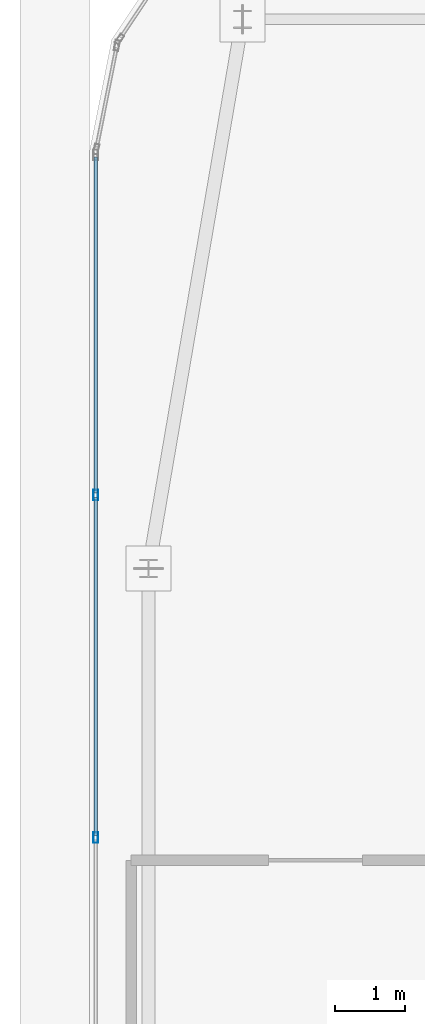
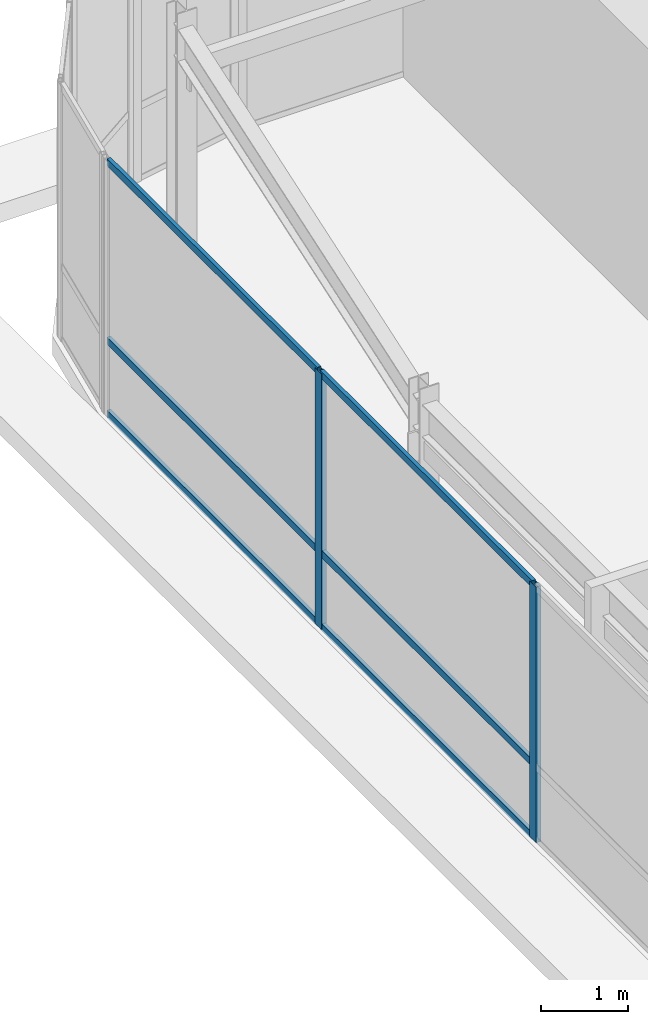
# One storey, part 17 of 35: 8 members, 1 element without a shape of its own.
"""IFC4 building model written with IfcOpenShell, lengths in metres."""

from ifc_helpers import new_model, si_unit, direction, frame, origin, origin_2d, place, context, subcontext, project, spatial, hollow_rectangle, extrude, source, transform, mapped, material, layer, layer_set, material_profile, profile_set, type_object, type_shapes, element, aggregate, save


model = new_model("IFC4")

# Units and contexts
model_context = context("Model", 3, precision=1e-05, world=origin(), true_north=direction((0.0, 1.0)))
body_context = subcontext(model_context, "Body", "Model", "MODEL_VIEW")
ifc_project = project(units=[si_unit("LENGTHUNIT", "METRE"), si_unit("AREAUNIT", "SQUARE_METRE"), si_unit("VOLUMEUNIT", "CUBIC_METRE"), si_unit("PLANEANGLEUNIT", "RADIAN"), si_unit("MASSUNIT", "GRAM", prefix="KILO")], contexts=[model_context])

# Site, building, storey
site_placement = place(None, origin())
site = spatial("IfcSite", under=ifc_project, at=site_placement, CompositionType="ELEMENT")
building_placement = place(site_placement, origin())
building = spatial("IfcBuilding", under=site, at=building_placement, Name="Tolvann Quenvar Hotel", CompositionType="ELEMENT")
storey_placement = place(building_placement, frame((0.0, 0.0, 290.949951171875)))
storey = spatial("IfcBuildingStorey", under=building, at=storey_placement, Name="L77", CompositionType="ELEMENT", Elevation=290.949951171875)

# Curtain wall, members
ifc_material_1 = material(Name="Thermally broken anodised architectural aluminium 6063-T6 and laminated low-E glass", Category="aluminium")
ifc_layer = layer(ifc_material_1, 0.179931640625)
ifc_layer_set = layer_set([ifc_layer], Name="Thermally broken anodised architectural aluminium 6063-T6 and laminated low-E glass")
curtain_wall_type = type_object("IfcCurtainWallType", Name="CW_SYS_LANT_06", PredefinedType="USERDEFINED", material=ifc_layer_set)
curtain_wall_placement = place(storey_placement, origin())
curtain_wall = element("IfcCurtainWall", 1, at=curtain_wall_placement, inside=storey, type_object=curtain_wall_type, Name="Curtain Wall CW-LANT-06 (CWR-L77-E19)", ObjectType="UNITISED CURTAIN WALL", PredefinedType="USERDEFINED")
ifc_material_2 = material(Name="Anodised architectural aluminium 6063-T6 framing", Category="aluminium")
ifc_material_profile_1 = material_profile(ifc_material_2, hollow_rectangle(XDim=0.06494140625, YDim=0.14990234375, WallThickness=0.00390625, at=origin_2d()), Name="150x65x4RHS")
ifc_profile_set_1 = profile_set([ifc_material_profile_1], Name="Anodised architectural aluminium 6063-T6 framing")
member_type_1 = type_object("IfcMemberType", Name="CW_MULL_150x65", PredefinedType="MULLION", material=ifc_profile_set_1)
shared_shape_1 = source(origin(), body_context, "Body", "SweptSolid", [
    extrude(hollow_rectangle(XDim=0.06494140625, YDim=0.14990234375, WallThickness=0.00390625, at=origin_2d()), origin(), (0.0, 0.0, 1.0), 3.580078125),
])
type_shapes(member_type_1, [shared_shape_1])
member_1_placement = place(storey_placement, frame((3.68994140625, 35.05517578125, 0.0), z_axis=(0.0, 0.0, 1.0), x_axis=(1.0, 0.0, 0.0)))
member_1 = element("IfcMember", 2, at=member_1_placement, type_object=member_type_1, Name="CW-LANT-06 mullion 2", PredefinedType="MULLION", context=body_context, shape_type="MappedRepresentation", body=[
    mapped(shared_shape_1, transform((0.0, 0.0, 0.0), x_axis=(1.0, 0.0, 0.0), y_axis=(0.0, 1.0, 0.0), z_axis=(0.0, 0.0, 1.0), scale=1.0)),
])
member_2_placement = place(storey_placement, frame((3.68994140625, 30.127685546875, 0.0), z_axis=(0.0, 0.0, 1.0), x_axis=(1.0, 0.0, 0.0)))
member_2 = element("IfcMember", 3, at=member_2_placement, type_object=member_type_1, Name="CW-LANT-06 mullion 3", PredefinedType="MULLION", context=body_context, shape_type="MappedRepresentation", body=[
    mapped(shared_shape_1, transform((0.0, 0.0, 0.0), x_axis=(1.0, 0.0, 0.0), y_axis=(0.0, 1.0, 0.0), z_axis=(0.0, 0.0, 1.0), scale=1.0)),
])
ifc_material_profile_2 = material_profile(ifc_material_2, hollow_rectangle(XDim=0.050048828125, YDim=0.10009765625, WallThickness=0.0029296875, at=origin_2d()), Name="100x50x3RHS")
ifc_profile_set_2 = profile_set([ifc_material_profile_2], Name="Anodised architectural aluminium 6063-T6 framing")
member_type_2 = type_object("IfcMemberType", Name="CW_TRAN_100x50", PredefinedType="USERDEFINED", material=ifc_profile_set_2)
shared_shape_2 = source(origin(), body_context, "Body", "SweptSolid", [
    extrude(hollow_rectangle(XDim=0.050048828125, YDim=0.10009765625, WallThickness=0.0029296875, at=origin_2d()), origin(), (0.0, 0.0, 1.0), 4.830078125),
])
member_3_placement = place(storey_placement, frame((3.68994140625, 39.917724609375, 0.025146484375), z_axis=(0.0, -1.0, 0.0), x_axis=(1.0, 0.0, 0.0)))
member_3 = element("IfcMember", 4, at=member_3_placement, type_object=member_type_2, Name="CW-LANT-06 transom 1.1", ObjectType="TRANSOM", PredefinedType="USERDEFINED", context=body_context, shape_type="MappedRepresentation", body=[
    mapped(shared_shape_2, transform((0.0, 0.0, 0.0), x_axis=(1.0, 0.0, 0.0), y_axis=(0.0, 1.0, 0.0), z_axis=(0.0, 0.0, 1.0), scale=1.0)),
])
member_4_placement = place(storey_placement, frame((3.68994140625, 39.917724609375, 1.050048828125), z_axis=(0.0, -1.0, 0.0), x_axis=(1.0, 0.0, 0.0)))
member_4 = element("IfcMember", 5, at=member_4_placement, type_object=member_type_2, Name="CW-LANT-06 transom 1.2", ObjectType="TRANSOM", PredefinedType="USERDEFINED", context=body_context, shape_type="MappedRepresentation", body=[
    mapped(shared_shape_2, transform((0.0, 0.0, 0.0), x_axis=(1.0, 0.0, 0.0), y_axis=(0.0, 1.0, 0.0), z_axis=(0.0, 0.0, 1.0), scale=1.0)),
])
member_5_placement = place(storey_placement, frame((3.68994140625, 39.917724609375, 3.554931640625), z_axis=(0.0, -1.0, 0.0), x_axis=(1.0, 0.0, 0.0)))
member_5 = element("IfcMember", 6, at=member_5_placement, type_object=member_type_2, Name="CW-LANT-06 transom 1.3", ObjectType="TRANSOM", PredefinedType="USERDEFINED", context=body_context, shape_type="MappedRepresentation", body=[
    mapped(shared_shape_2, transform((0.0, 0.0, 0.0), x_axis=(1.0, 0.0, 0.0), y_axis=(0.0, 1.0, 0.0), z_axis=(0.0, 0.0, 1.0), scale=1.0)),
])
shared_shape_3 = source(origin(), body_context, "Body", "SweptSolid", [
    extrude(hollow_rectangle(XDim=0.050048828125, YDim=0.10009765625, WallThickness=0.0029296875, at=origin_2d()), origin(), (0.0, 0.0, 1.0), 4.862548828125),
])
type_shapes(member_type_2, [shared_shape_2, shared_shape_3])
member_6_placement = place(storey_placement, frame((3.68994140625, 35.022705078125, 0.025146484375), z_axis=(0.0, -1.0, 0.0), x_axis=(1.0, 0.0, 0.0)))
member_6 = element("IfcMember", 7, at=member_6_placement, type_object=member_type_2, Name="CW-LANT-06 transom 2.1", ObjectType="TRANSOM", PredefinedType="USERDEFINED", context=body_context, shape_type="MappedRepresentation", body=[
    mapped(shared_shape_3, transform((0.0, 0.0, 0.0), x_axis=(1.0, 0.0, 0.0), y_axis=(0.0, 1.0, 0.0), z_axis=(0.0, 0.0, 1.0), scale=1.0)),
])
member_7_placement = place(storey_placement, frame((3.68994140625, 35.022705078125, 1.050048828125), z_axis=(0.0, -1.0, 0.0), x_axis=(1.0, 0.0, 0.0)))
member_7 = element("IfcMember", 8, at=member_7_placement, type_object=member_type_2, Name="CW-LANT-06 transom 2.2", ObjectType="TRANSOM", PredefinedType="USERDEFINED", context=body_context, shape_type="MappedRepresentation", body=[
    mapped(shared_shape_3, transform((0.0, 0.0, 0.0), x_axis=(1.0, 0.0, 0.0), y_axis=(0.0, 1.0, 0.0), z_axis=(0.0, 0.0, 1.0), scale=1.0)),
])
member_8_placement = place(storey_placement, frame((3.68994140625, 35.022705078125, 3.554931640625), z_axis=(0.0, -1.0, 0.0), x_axis=(1.0, 0.0, 0.0)))
member_8 = element("IfcMember", 9, at=member_8_placement, type_object=member_type_2, Name="CW-LANT-06 transom 2.3", ObjectType="TRANSOM", PredefinedType="USERDEFINED", context=body_context, shape_type="MappedRepresentation", body=[
    mapped(shared_shape_3, transform((0.0, 0.0, 0.0), x_axis=(1.0, 0.0, 0.0), y_axis=(0.0, 1.0, 0.0), z_axis=(0.0, 0.0, 1.0), scale=1.0)),
])
aggregate(curtain_wall, [member_1, member_2, member_3, member_4, member_5, member_6, member_7, member_8])

save(model, "model.ifc")
